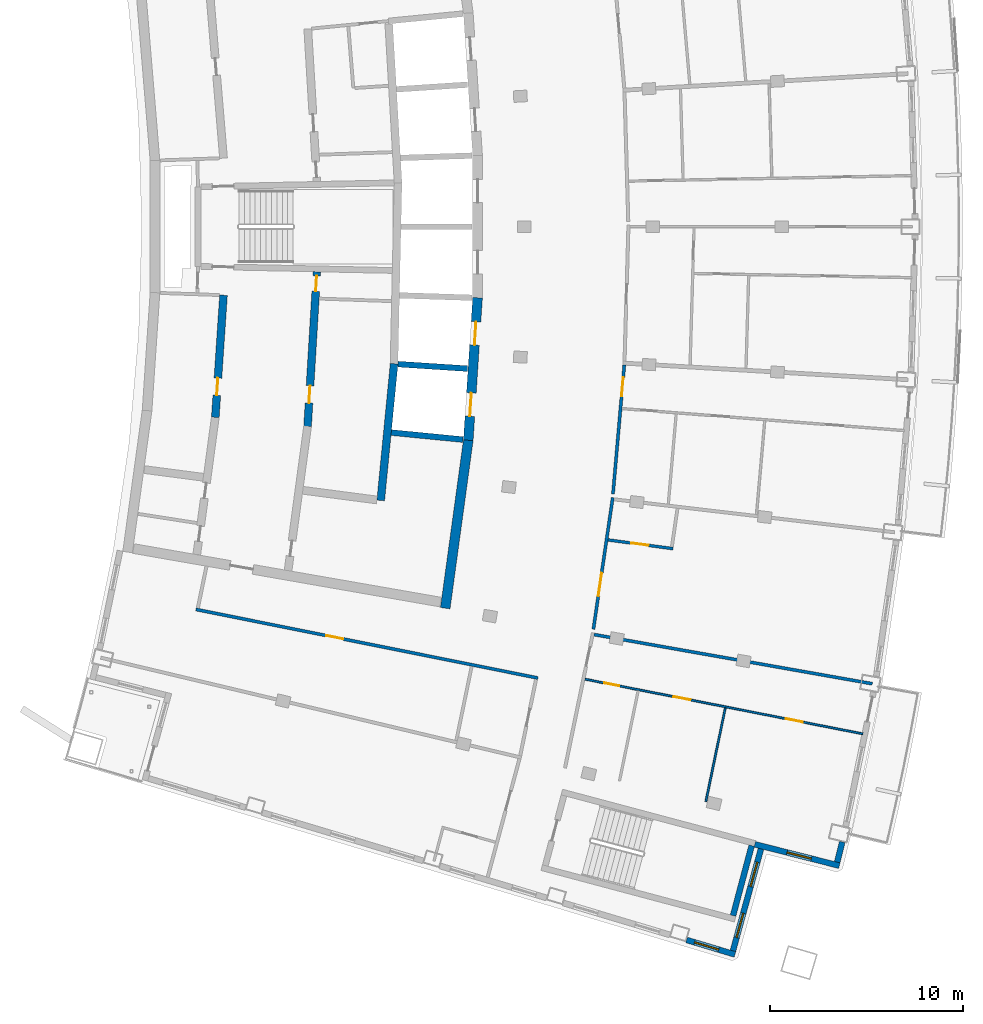
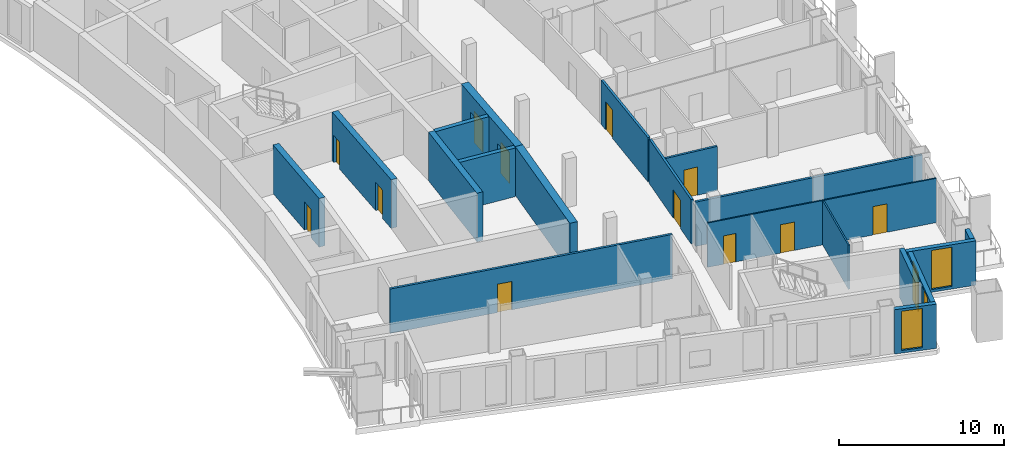
# One storey, part 8 of 16: 19 walls, 12 doors, 4 windows, 16 openings.
"""IFC4 building model written with IfcOpenShell, lengths in metres."""

from ifc_helpers import new_model, si_unit, direction, frame, frame_2d, origin, place, context, subcontext, project, spatial, rectangle, extrude, material, layer, layer_set, type_object, element, fill, save


model = new_model("IFC4")

# Units and contexts
model_context = context("Model", 3, precision=1e-05, world=origin(), true_north=direction((0.0, 1.0)))
body_context = subcontext(model_context, "Body", "Model", "MODEL_VIEW")
ifc_project = project(units=[si_unit("LENGTHUNIT", "METRE"), si_unit("AREAUNIT", "SQUARE_METRE"), si_unit("VOLUMEUNIT", "CUBIC_METRE"), si_unit("PLANEANGLEUNIT", "RADIAN"), si_unit("MASSUNIT", "GRAM", prefix="KILO")], contexts=[model_context])

# Site, building, storey
site_placement = place(None, origin())
site = spatial("IfcSite", under=ifc_project, at=site_placement, CompositionType="ELEMENT")
building_placement = place(site_placement, origin())
building = spatial("IfcBuilding", under=site, at=building_placement, Name="Alderwake Tower", CompositionType="ELEMENT")
storey_placement = place(building_placement, frame((0.0, 0.0, 281.60009765625)))
storey = spatial("IfcBuildingStorey", under=building, at=storey_placement, Name="L70", CompositionType="ELEMENT", Elevation=281.60009765625)

# Wall
ifc_material_1 = material(Name="Concrete C70/85", Category="concrete")
ifc_layer_1 = layer(ifc_material_1, 0.5)
ifc_layer_set_1 = layer_set([ifc_layer_1], Name="Core wall outer 500 C70-85")
wall_type_1 = type_object("IfcWallType", Name="Core wall outer 500 C70-85", PredefinedType="SHEAR", material=ifc_layer_set_1)
wall_1_placement = place(storey_placement, frame((31.71728515625, 41.247314453125, 0.0), z_axis=(0.0, 0.0, 1.0), x_axis=(0.1358539401, 0.990728876615, 0.0)))
element("IfcWall", 1, at=wall_1_placement, inside=storey, type_object=wall_type_1, Name="Core wall CW.022", PredefinedType="SHEAR", context=body_context, shape_type="SweptSolid", body=[
    extrude(rectangle(XDim=8.794921875, YDim=0.5, at=frame_2d((4.3974609375, 0.0))), origin(), (0.0, 0.0, 1.0), 3.599853515625),
])

# Wall, openings, doors
wall_2_placement = place(storey_placement, frame((32.91015625, 49.942138671875, 0.0), z_axis=(0.0, 0.0, 1.0), x_axis=(0.064980500916, 0.997886533881, 0.0)))
wall_2 = element("IfcWall", 2, at=wall_2_placement, inside=storey, type_object=wall_type_1, Name="Core wall CW.021", PredefinedType="SHEAR", context=body_context, shape_type="SweptSolid", body=[
    extrude(rectangle(XDim=7.39404296875, YDim=0.5, at=frame_2d((3.697021484375, 0.0))), origin(), (0.0, 0.0, 1.0), 3.599853515625),
])
opening_1_placement = place(wall_2_placement, frame((1.253173828125, 0.0, 0.0)))
opening_1 = element("IfcOpeningElement", 3, at=opening_1_placement, cuts=wall_2, Name="Opening LD-HP1", PredefinedType="OPENING", context=body_context, shape_type="SweptSolid", body=[
    extrude(rectangle(XDim=1.199951171875, YDim=2.300048828125, at=frame_2d((0.60009765625, 1.14990234375))), frame((0.0, 0.260009765625, 0.0), z_axis=(0.0, -1.0, 0.0), x_axis=(1.0, 0.0, 0.0)), (0.0, 0.0, 1.0), 0.52001953125),
])
opening_2_placement = place(wall_2_placement, frame((4.941650390625, 0.0, 0.0)))
opening_2 = element("IfcOpeningElement", 4, at=opening_2_placement, cuts=wall_2, Name="Opening LD-HP2", PredefinedType="OPENING", context=body_context, shape_type="SweptSolid", body=[
    extrude(rectangle(XDim=1.199951171875, YDim=2.300048828125, at=frame_2d((0.60009765625, 1.14990234375))), frame((0.0, 0.260009765625, 0.0), z_axis=(0.0, -1.0, 0.0), x_axis=(1.0, 0.0, 0.0)), (0.0, 0.0, 1.0), 0.52001953125),
])
ifc_material_2 = material(Name="Stainless steel sliding leaf", Category="steel")
door_type_1 = type_object("IfcDoorType", Name="Lift landing door 1200", OperationType="SLIDING_TO_LEFT", PredefinedType="DOOR", material=ifc_material_2)
door_1_placement = place(opening_1_placement, origin())
door_1 = element("IfcDoor", 5, at=door_1_placement, inside=storey, type_object=door_type_1, Name="Lift landing door HP1", OperationType="SLIDING_TO_LEFT", OverallHeight=2.300048828125, OverallWidth=1.199951171875, PredefinedType="DOOR", context=body_context, shape_type="SweptSolid", body=[
    extrude(rectangle(XDim=1.199951171875, YDim=2.300048828125, at=frame_2d((0.60009765625, 1.14990234375))), frame((0.0, 0.02490234375, 0.0), z_axis=(0.0, -1.0, 0.0), x_axis=(1.0, 0.0, 0.0)), (0.0, 0.0, 1.0), 0.050048828125),
])
fill(opening_1, door_1)
door_2_placement = place(opening_2_placement, origin())
door_2 = element("IfcDoor", 6, at=door_2_placement, inside=storey, type_object=door_type_1, Name="Lift landing door HP2", OperationType="SLIDING_TO_LEFT", OverallHeight=2.300048828125, OverallWidth=1.199951171875, PredefinedType="DOOR", context=body_context, shape_type="SweptSolid", body=[
    extrude(rectangle(XDim=1.199951171875, YDim=2.300048828125, at=frame_2d((0.60009765625, 1.14990234375))), frame((0.0, 0.02490234375, 0.0), z_axis=(0.0, -1.0, 0.0), x_axis=(1.0, 0.0, 0.0)), (0.0, 0.0, 1.0), 0.050048828125),
])
fill(opening_2, door_2)

# Walls
ifc_material_3 = material(Name="Concrete C70/85", Category="concrete")
ifc_layer_2 = layer(ifc_material_3, 0.300048828125)
ifc_layer_set_2 = layer_set([ifc_layer_2], Name="Core wall shaft 300 C70-85")
wall_type_2 = type_object("IfcWallType", Name="Core wall shaft 300 C70-85", PredefinedType="SHEAR", material=ifc_layer_set_2)
wall_3_placement = place(storey_placement, frame((28.922119140625, 50.341796875, 0.0), z_axis=(0.0, 0.0, 1.0), x_axis=(0.995245719762, -0.097395879255, 0.0)))
element("IfcWall", 7, at=wall_3_placement, inside=storey, type_object=wall_type_2, Name="Core wall CW.064", PredefinedType="SHEAR", context=body_context, shape_type="SweptSolid", body=[
    extrude(rectangle(XDim=3.7275390625, YDim=0.300048828125, at=frame_2d((1.86376953125, 0.0))), origin(), (0.0, 0.0, 1.0), 3.599853515625),
])
wall_4_placement = place(storey_placement, frame((29.268798828125, 53.884521484375, 0.0), z_axis=(0.0, 0.0, 1.0), x_axis=(0.997885735437, -0.064992761217, 0.0)))
element("IfcWall", 8, at=wall_4_placement, inside=storey, type_object=wall_type_2, Name="Core wall CW.078", PredefinedType="SHEAR", context=body_context, shape_type="SweptSolid", body=[
    extrude(rectangle(XDim=3.60986328125, YDim=0.300048828125, at=frame_2d((1.804931640625, 0.0))), origin(), (0.0, 0.0, 1.0), 3.599853515625),
])

# Wall, opening, door
ifc_material_4 = material(Name="Concrete C70/85", Category="concrete")
ifc_layer_3 = layer(ifc_material_4, 0.39990234375)
ifc_layer_set_3 = layer_set([ifc_layer_3], Name="Core wall spine 400 C70-85")
wall_type_3 = type_object("IfcWallType", Name="Core wall spine 400 C70-85", PredefinedType="SHEAR", material=ifc_layer_set_3)
wall_5_placement = place(storey_placement, frame((20.2373046875, 57.451904296875, 0.0), z_axis=(0.0, 0.0, 1.0), x_axis=(-0.066884681503, -0.997760712486, 0.0)))
wall_5 = element("IfcWall", 9, at=wall_5_placement, inside=storey, type_object=wall_type_3, Name="Core wall CW.032", PredefinedType="SHEAR", context=body_context, shape_type="SweptSolid", body=[
    extrude(rectangle(XDim=6.336669921875, YDim=0.39990234375, at=frame_2d((3.16845703125, 0.0))), origin(), (0.0, 0.0, 1.0), 3.599853515625),
])
opening_3_placement = place(wall_5_placement, frame((4.29736328125, 0.0, 0.0)))
opening_3 = element("IfcOpeningElement", 10, at=opening_3_placement, cuts=wall_5, Name="Opening C037", PredefinedType="OPENING", context=body_context, shape_type="SweptSolid", body=[
    extrude(rectangle(XDim=0.89990234375, YDim=2.10009765625, at=frame_2d((0.449951171875, 1.050048828125))), frame((0.0, 0.2099609375, 0.0), z_axis=(0.0, -1.0, 0.0), x_axis=(1.0, 0.0, 0.0)), (0.0, 0.0, 1.0), 0.419921875),
])
ifc_material_5 = material(Name="Painted steel leaf", Category="steel")
door_type_2 = type_object("IfcDoorType", Name="Core room door 900", OperationType="SINGLE_SWING_LEFT", PredefinedType="DOOR", material=ifc_material_5)
door_3_placement = place(opening_3_placement, origin())
door_3 = element("IfcDoor", 11, at=door_3_placement, inside=storey, type_object=door_type_2, Name="Room door", OperationType="SINGLE_SWING_RIGHT", OverallHeight=2.10009765625, OverallWidth=0.89990234375, PredefinedType="DOOR", context=body_context, shape_type="SweptSolid", body=[
    extrude(rectangle(XDim=0.89990234375, YDim=2.10009765625, at=frame_2d((0.449951171875, 1.050048828125))), frame((0.0, 0.02490234375, 0.0), z_axis=(0.0, -1.0, 0.0), x_axis=(1.0, 0.0, 0.0)), (0.0, 0.0, 1.0), 0.050048828125),
])
fill(opening_3, door_3)

# Wall, openings, doors
wall_6_placement = place(storey_placement, frame((24.590087890625, 50.65673828125, 0.0), z_axis=(0.0, 0.0, 1.0), x_axis=(0.060318641452, 0.998179173041, 0.0)))
wall_6 = element("IfcWall", 12, at=wall_6_placement, inside=storey, type_object=wall_type_3, Name="Core wall CW.046", PredefinedType="SHEAR", context=body_context, shape_type="SweptSolid", body=[
    extrude(rectangle(XDim=8.022216796875, YDim=0.39990234375, at=frame_2d((4.01123046875, 0.0))), origin(), (0.0, 0.0, 1.0), 3.599853515625),
])
opening_4_placement = place(wall_6_placement, frame((7.006103515625, 0.0, 0.0)))
opening_4 = element("IfcOpeningElement", 13, at=opening_4_placement, cuts=wall_6, Name="Opening C006", PredefinedType="OPENING", context=body_context, shape_type="SweptSolid", body=[
    extrude(rectangle(XDim=0.800048828125, YDim=2.0, at=frame_2d((0.39990234375, 1.0))), frame((0.0, 0.2099609375, 0.0), z_axis=(0.0, -1.0, 0.0), x_axis=(1.0, 0.0, 0.0)), (0.0, 0.0, 1.0), 0.419921875),
])
opening_5_placement = place(wall_6_placement, frame((1.21533203125, 0.0, 0.0)))
opening_5 = element("IfcOpeningElement", 14, at=opening_5_placement, cuts=wall_6, Name="Opening C043", PredefinedType="OPENING", context=body_context, shape_type="SweptSolid", body=[
    extrude(rectangle(XDim=0.89990234375, YDim=2.10009765625, at=frame_2d((0.449951171875, 1.050048828125))), frame((0.0, 0.2099609375, 0.0), z_axis=(0.0, -1.0, 0.0), x_axis=(1.0, 0.0, 0.0)), (0.0, 0.0, 1.0), 0.419921875),
])
door_4_placement = place(opening_5_placement, origin())
door_4 = element("IfcDoor", 15, at=door_4_placement, inside=storey, type_object=door_type_2, Name="Room door", OperationType="SINGLE_SWING_LEFT", OverallHeight=2.10009765625, OverallWidth=0.89990234375, PredefinedType="DOOR", context=body_context, shape_type="SweptSolid", body=[
    extrude(rectangle(XDim=0.89990234375, YDim=2.10009765625, at=frame_2d((0.449951171875, 1.050048828125))), frame((0.0, 0.02490234375, 0.0), z_axis=(0.0, -1.0, 0.0), x_axis=(1.0, 0.0, 0.0)), (0.0, 0.0, 1.0), 0.050048828125),
])
fill(opening_5, door_4)
ifc_material_6 = material(Name="Painted steel leaf, rated", Category="steel")
door_type_3 = type_object("IfcDoorType", Name="Riser access door 800", OperationType="SINGLE_SWING_LEFT", PredefinedType="DOOR", material=ifc_material_6)
door_5_placement = place(opening_4_placement, origin())
door_5 = element("IfcDoor", 16, at=door_5_placement, inside=storey, type_object=door_type_3, Name="Riser access door", OperationType="SINGLE_SWING_RIGHT", OverallHeight=2.0, OverallWidth=0.800048828125, PredefinedType="DOOR", context=body_context, shape_type="SweptSolid", body=[
    extrude(rectangle(XDim=0.800048828125, YDim=2.0, at=frame_2d((0.39990234375, 1.0))), frame((0.0, 0.02490234375, 0.0), z_axis=(0.0, -1.0, 0.0), x_axis=(1.0, 0.0, 0.0)), (0.0, 0.0, 1.0), 0.050048828125),
])
fill(opening_4, door_5)

# Walls
wall_7_placement = place(storey_placement, frame((28.376953125, 46.8251953125, 0.0), z_axis=(0.0, 0.0, 1.0), x_axis=(0.097393469943, 0.995245955537, 0.0)))
element("IfcWall", 17, at=wall_7_placement, inside=storey, type_object=wall_type_3, Name="Core wall CW.005", PredefinedType="SHEAR", context=body_context, shape_type="SweptSolid", body=[
    extrude(rectangle(XDim=7.1142578125, YDim=0.39990234375, at=frame_2d((3.55712890625, 0.0))), origin(), (0.0, 0.0, 1.0), 3.599853515625),
])
ifc_material_7 = material(Name="Concrete C70/85", Category="concrete")
ifc_layer_4 = layer(ifc_material_7, 0.300048828125)
ifc_layer_set_4 = layer_set([ifc_layer_4], Name="Core wall stair enclosure 300 C70-85")
wall_type_4 = type_object("IfcWallType", Name="Core wall stair enclosure 300 C70-85", PredefinedType="SHEAR", material=ifc_layer_set_4)
wall_8_placement = place(storey_placement, frame((46.6162109375, 25.334716796875, 0.0), z_axis=(0.0, 0.0, 1.0), x_axis=(0.257366821694, 0.966313778796, 0.0)))
element("IfcWall", 18, at=wall_8_placement, inside=storey, type_object=wall_type_4, Name="Core wall CW.085", PredefinedType="SHEAR", context=body_context, shape_type="SweptSolid", body=[
    extrude(rectangle(XDim=3.749755859375, YDim=0.300048828125, at=frame_2d((1.875, 0.0))), origin(), (0.0, 0.0, 1.0), 3.599853515625),
])

# Wall, opening, door
ifc_material_8 = material(Name="Gypsum board on metal studs, rated")
ifc_layer_5 = layer(ifc_material_8, 0.159912109375)
ifc_layer_set_5 = layer_set([ifc_layer_5], Name="Corridor wall 160")
wall_type_5 = type_object("IfcWallType", Name="Corridor wall 160", PredefinedType="PARTITIONING", material=ifc_layer_set_5)
wall_9_placement = place(storey_placement, frame((36.513427734375, 37.63427734375, 0.0), z_axis=(0.0, 0.0, 1.0), x_axis=(-0.980470254867, 0.1966674333, 0.0)))
wall_9 = element("IfcWall", 19, at=wall_9_placement, inside=storey, type_object=wall_type_5, Name="WL/L70/W10", PredefinedType="PARTITIONING", context=body_context, shape_type="SweptSolid", body=[
    extrude(rectangle(XDim=18.053466796875, YDim=0.159912109375, at=frame_2d((9.02685546875, 0.0))), origin(), (0.0, 0.0, 1.0), 3.27978515625),
])
opening_6_placement = place(wall_9_placement, frame((10.277099609375, 0.0, 0.0)))
opening_6 = element("IfcOpeningElement", 20, at=opening_6_placement, cuts=wall_9, Name="Opening R20-SBS1", PredefinedType="OPENING", context=body_context, shape_type="SweptSolid", body=[
    extrude(rectangle(XDim=0.89990234375, YDim=2.10009765625, at=frame_2d((0.449951171875, 1.050048828125))), frame((0.0, 0.08984375, 0.0), z_axis=(0.0, -1.0, 0.0), x_axis=(1.0, 0.0, 0.0)), (0.0, 0.0, 1.0), 0.179931640625),
])
ifc_material_9 = material(Name="Painted timber leaf", Category="wood")
door_type_4 = type_object("IfcDoorType", Name="Room door 900", OperationType="SINGLE_SWING_LEFT", PredefinedType="DOOR", material=ifc_material_9)
door_6_placement = place(opening_6_placement, origin())
door_6 = element("IfcDoor", 21, at=door_6_placement, inside=storey, type_object=door_type_4, Name="DR/L70/SBS1", OperationType="SINGLE_SWING_LEFT", OverallHeight=2.10009765625, OverallWidth=0.89990234375, PredefinedType="DOOR", context=body_context, shape_type="SweptSolid", body=[
    extrude(rectangle(XDim=0.89990234375, YDim=2.10009765625, at=frame_2d((0.449951171875, 1.050048828125))), frame((0.0, 0.02490234375, 0.0), z_axis=(0.0, -1.0, 0.0), x_axis=(1.0, 0.0, 0.0)), (0.0, 0.0, 1.0), 0.050048828125),
])
fill(opening_6, door_6)

wall_10_placement = place(storey_placement, frame((40.388671875, 46.97216796875, 0.0), z_axis=(0.0, 0.0, 1.0), x_axis=(-0.145535848078, -0.989352978933, 0.0)))
wall_10 = element("IfcWall", 22, at=wall_10_placement, inside=storey, type_object=wall_type_5, Name="WL/L70/W19", PredefinedType="PARTITIONING", context=body_context, shape_type="SweptSolid", body=[
    extrude(rectangle(XDim=6.884521484375, YDim=0.159912109375, at=frame_2d((3.4423828125, 0.0))), origin(), (0.0, 0.0, 1.0), 3.27978515625),
])
opening_7_placement = place(wall_10_placement, frame((3.943115234375, 0.0, 0.0)))
opening_7 = element("IfcOpeningElement", 23, at=opening_7_placement, cuts=wall_10, Name="Opening R20-AM1.1", PredefinedType="OPENING", context=body_context, shape_type="SweptSolid", body=[
    extrude(rectangle(XDim=1.199951171875, YDim=2.10009765625, at=frame_2d((0.60009765625, 1.050048828125))), frame((0.0, 0.08984375, 0.0), z_axis=(0.0, -1.0, 0.0), x_axis=(1.0, 0.0, 0.0)), (0.0, 0.0, 1.0), 0.179931640625),
])
ifc_material_10 = material(Name="Steel-framed fire door leaf", Category="steel")
door_type_5 = type_object("IfcDoorType", Name="Lobby door 1200 fire-rated", OperationType="SINGLE_SWING_LEFT", PredefinedType="DOOR", material=ifc_material_10)
door_7_placement = place(opening_7_placement, origin())
door_7 = element("IfcDoor", 24, at=door_7_placement, inside=storey, type_object=door_type_5, Name="DR/L70/AM1.1", OperationType="SINGLE_SWING_LEFT", OverallHeight=2.10009765625, OverallWidth=1.199951171875, PredefinedType="DOOR", context=body_context, shape_type="SweptSolid", body=[
    extrude(rectangle(XDim=1.199951171875, YDim=2.10009765625, at=frame_2d((0.60009765625, 1.050048828125))), frame((0.0, 0.02490234375, 0.0), z_axis=(0.0, -1.0, 0.0), x_axis=(1.0, 0.0, 0.0)), (0.0, 0.0, 1.0), 0.050048828125),
])
fill(opening_7, door_7)

wall_11_placement = place(storey_placement, frame((40.986328125, 53.834228515625, 0.0), z_axis=(0.0, 0.0, 1.0), x_axis=(-0.087437661692, -0.996169993183, 0.0)))
wall_11 = element("IfcWall", 25, at=wall_11_placement, inside=storey, type_object=wall_type_5, Name="WL/L70/W21", PredefinedType="PARTITIONING", context=body_context, shape_type="SweptSolid", body=[
    extrude(rectangle(XDim=6.701171875, YDim=0.159912109375, at=frame_2d((3.3505859375, 0.0))), origin(), (0.0, 0.0, 1.0), 3.27978515625),
])
opening_8_placement = place(wall_11_placement, frame((0.628173828125, 0.0, 0.0)))
opening_8 = element("IfcOpeningElement", 26, at=opening_8_placement, cuts=wall_11, Name="Opening R20-U04.2", PredefinedType="OPENING", context=body_context, shape_type="SweptSolid", body=[
    extrude(rectangle(XDim=1.0, YDim=2.10009765625, at=frame_2d((0.5, 1.050048828125))), frame((0.0, 0.08984375, 0.0), z_axis=(0.0, -1.0, 0.0), x_axis=(1.0, 0.0, 0.0)), (0.0, 0.0, 1.0), 0.179931640625),
])
ifc_material_11 = material(Name="Solid timber leaf in steel frame", Category="steel")
door_type_6 = type_object("IfcDoorType", Name="Flat entrance door 1000 fire-rated", OperationType="SINGLE_SWING_LEFT", PredefinedType="DOOR", material=ifc_material_11)
door_8_placement = place(opening_8_placement, origin())
door_8 = element("IfcDoor", 27, at=door_8_placement, inside=storey, type_object=door_type_6, Name="DR/L70/U04.2", OperationType="SINGLE_SWING_LEFT", OverallHeight=2.10009765625, OverallWidth=1.0, PredefinedType="DOOR", context=body_context, shape_type="SweptSolid", body=[
    extrude(rectangle(XDim=1.0, YDim=2.10009765625, at=frame_2d((0.5, 1.050048828125))), frame((0.0, 0.02490234375, 0.0), z_axis=(0.0, -1.0, 0.0), x_axis=(1.0, 0.0, 0.0)), (0.0, 0.0, 1.0), 0.050048828125),
])
fill(opening_8, door_8)

# Walls
wall_12_placement = place(storey_placement, frame((53.822998046875, 37.337890625, 0.0), z_axis=(0.0, 0.0, 1.0), x_axis=(-0.984729040403, 0.174093988946, 0.0)))
element("IfcWall", 28, at=wall_12_placement, inside=storey, type_object=wall_type_5, Name="WL/L70/W26", PredefinedType="PARTITIONING", context=body_context, shape_type="SweptSolid", body=[
    extrude(rectangle(XDim=14.619384765625, YDim=0.159912109375, at=frame_2d((7.3095703125, 0.0))), origin(), (0.0, 0.0, 1.0), 3.27978515625),
])
ifc_material_12 = material(Name="Precast concrete C50/60 spandrel panel", Category="concrete")
ifc_layer_6 = layer(ifc_material_12, 0.300048828125)
ifc_layer_set_6 = layer_set([ifc_layer_6], Name="External wall EW1 Precast concrete C50/60 spandrel")
wall_type_6 = type_object("IfcWallType", Name="External wall EW1 Precast concrete C50/60 spandrel", PredefinedType="SOLIDWALL", material=ifc_layer_set_6)
wall_13_placement = place(storey_placement, frame((52.009521484375, 28.10107421875, 0.0), z_axis=(0.0, 0.0, 1.0), x_axis=(0.238378653111, 0.971172290452, 0.0)))
element("IfcWall", 29, at=wall_13_placement, inside=storey, type_object=wall_type_6, Name="External wall 11", PredefinedType="SOLIDWALL", context=body_context, shape_type="SweptSolid", body=[
    extrude(rectangle(XDim=1.078369140625, YDim=0.300048828125, at=frame_2d((0.5390625, 0.0))), origin(), (0.0, 0.0, 1.0), 3.27978515625),
])

# Wall, opening, window
ifc_material_13 = material(Name="Bronze metal cladding on lightweight framing")
ifc_layer_7 = layer(ifc_material_13, 0.300048828125)
ifc_layer_set_7 = layer_set([ifc_layer_7], Name="External wall EW2 bronze metal cladding")
wall_type_7 = type_object("IfcWallType", Name="External wall EW2 bronze metal cladding", PredefinedType="SOLIDWALL", material=ifc_layer_set_7)
wall_14_placement = place(storey_placement, frame((44.21142578125, 24.073486328125, 0.0), z_axis=(0.0, 0.0, 1.0), x_axis=(0.957782557739, -0.287493603567, 0.0)))
wall_14 = element("IfcWall", 30, at=wall_14_placement, inside=storey, type_object=wall_type_7, Name="External wall 8", PredefinedType="SOLIDWALL", context=body_context, shape_type="SweptSolid", body=[
    extrude(rectangle(XDim=2.613037109375, YDim=0.300048828125, at=frame_2d((1.306640625, 0.0))), origin(), (0.0, 0.0, 1.0), 3.27978515625),
])
opening_9_placement = place(wall_14_placement, frame((0.4306640625, 0.0, 0.199951171875)))
opening_9 = element("IfcOpeningElement", 31, at=opening_9_placement, cuts=wall_14, Name="Opening W1", PredefinedType="OPENING", context=body_context, shape_type="SweptSolid", body=[
    extrude(rectangle(XDim=1.300048828125, YDim=2.89990234375, at=frame_2d((0.64990234375, 1.449951171875))), frame((0.0, 0.159912109375, 0.0), z_axis=(0.0, -1.0, 0.0), x_axis=(1.0, 0.0, 0.0)), (0.0, 0.0, 1.0), 0.320068359375),
])
ifc_material_14 = material(Name="Bronze tinted glass in aluminium frame", Category="aluminium")
window_type = type_object("IfcWindowType", Name="Window W1 tall fixed and vent", PartitioningType="DOUBLE_PANEL_VERTICAL", PredefinedType="WINDOW", material=ifc_material_14)
window_1_placement = place(opening_9_placement, origin())
window_1 = element("IfcWindow", 32, at=window_1_placement, inside=storey, type_object=window_type, Name="Window W1 tall fixed and vent", OverallHeight=2.89990234375, OverallWidth=1.300048828125, PartitioningType="DOUBLE_PANEL_VERTICAL", PredefinedType="WINDOW", context=body_context, shape_type="SweptSolid", body=[
    extrude(rectangle(XDim=1.300048828125, YDim=2.89990234375, at=frame_2d((0.64990234375, 1.449951171875))), frame((0.0, 0.030029296875, 0.0), z_axis=(0.0, -1.0, 0.0), x_axis=(1.0, 0.0, 0.0)), (0.0, 0.0, 1.0), 0.06005859375),
])
fill(opening_9, window_1)

# Wall, openings, windows
wall_15_placement = place(storey_placement, frame((46.610107421875, 23.510009765625, 0.0), z_axis=(0.0, 0.0, 1.0), x_axis=(0.265093283519, 0.964222770439, 0.0)))
wall_15 = element("IfcWall", 33, at=wall_15_placement, inside=storey, type_object=wall_type_7, Name="External wall 9", PredefinedType="SOLIDWALL", context=body_context, shape_type="SweptSolid", body=[
    extrude(rectangle(XDim=5.47705078125, YDim=0.300048828125, at=frame_2d((2.738525390625, 0.0))), origin(), (0.0, 0.0, 1.0), 3.27978515625),
])
opening_10_placement = place(wall_15_placement, frame((0.71923828125, 0.0, 0.199951171875)))
opening_10 = element("IfcOpeningElement", 34, at=opening_10_placement, cuts=wall_15, Name="Opening W1", PredefinedType="OPENING", context=body_context, shape_type="SweptSolid", body=[
    extrude(rectangle(XDim=1.300048828125, YDim=2.89990234375, at=frame_2d((0.64990234375, 1.449951171875))), frame((0.0, 0.159912109375, 0.0), z_axis=(0.0, -1.0, 0.0), x_axis=(1.0, 0.0, 0.0)), (0.0, 0.0, 1.0), 0.320068359375),
])
opening_11_placement = place(wall_15_placement, frame((3.45751953125, 0.0, 0.199951171875)))
opening_11 = element("IfcOpeningElement", 35, at=opening_11_placement, cuts=wall_15, Name="Opening W1", PredefinedType="OPENING", context=body_context, shape_type="SweptSolid", body=[
    extrude(rectangle(XDim=1.300048828125, YDim=2.89990234375, at=frame_2d((0.64990234375, 1.449951171875))), frame((0.0, 0.159912109375, 0.0), z_axis=(0.0, -1.0, 0.0), x_axis=(1.0, 0.0, 0.0)), (0.0, 0.0, 1.0), 0.320068359375),
])
window_2_placement = place(opening_10_placement, origin())
window_2 = element("IfcWindow", 36, at=window_2_placement, inside=storey, type_object=window_type, Name="Window W1 tall fixed and vent", OverallHeight=2.89990234375, OverallWidth=1.300048828125, PartitioningType="DOUBLE_PANEL_VERTICAL", PredefinedType="WINDOW", context=body_context, shape_type="SweptSolid", body=[
    extrude(rectangle(XDim=1.300048828125, YDim=2.89990234375, at=frame_2d((0.64990234375, 1.449951171875))), frame((0.0, 0.030029296875, 0.0), z_axis=(0.0, -1.0, 0.0), x_axis=(1.0, 0.0, 0.0)), (0.0, 0.0, 1.0), 0.06005859375),
])
fill(opening_10, window_2)
window_3_placement = place(opening_11_placement, origin())
window_3 = element("IfcWindow", 37, at=window_3_placement, inside=storey, type_object=window_type, Name="Window W1 tall fixed and vent", OverallHeight=2.89990234375, OverallWidth=1.300048828125, PartitioningType="DOUBLE_PANEL_VERTICAL", PredefinedType="WINDOW", context=body_context, shape_type="SweptSolid", body=[
    extrude(rectangle(XDim=1.300048828125, YDim=2.89990234375, at=frame_2d((0.64990234375, 1.449951171875))), frame((0.0, 0.030029296875, 0.0), z_axis=(0.0, -1.0, 0.0), x_axis=(1.0, 0.0, 0.0)), (0.0, 0.0, 1.0), 0.06005859375),
])
fill(opening_11, window_3)

# Wall, opening, window
wall_16_placement = place(storey_placement, frame((47.7412109375, 29.026611328125, 0.0), z_axis=(0.0, 0.0, 1.0), x_axis=(0.969425979611, -0.245383923793, 0.0)))
wall_16 = element("IfcWall", 38, at=wall_16_placement, inside=storey, type_object=wall_type_7, Name="External wall 10", PredefinedType="SOLIDWALL", context=body_context, shape_type="SweptSolid", body=[
    extrude(rectangle(XDim=4.51611328125, YDim=0.300048828125, at=frame_2d((2.258056640625, 0.0))), origin(), (0.0, 0.0, 1.0), 3.27978515625),
])
opening_12_placement = place(wall_16_placement, frame((1.718994140625, 0.0, 0.199951171875)))
opening_12 = element("IfcOpeningElement", 39, at=opening_12_placement, cuts=wall_16, Name="Opening W1", PredefinedType="OPENING", context=body_context, shape_type="SweptSolid", body=[
    extrude(rectangle(XDim=1.300048828125, YDim=2.89990234375, at=frame_2d((0.64990234375, 1.449951171875))), frame((0.0, 0.159912109375, 0.0), z_axis=(0.0, -1.0, 0.0), x_axis=(1.0, 0.0, 0.0)), (0.0, 0.0, 1.0), 0.320068359375),
])
window_4_placement = place(opening_12_placement, origin())
window_4 = element("IfcWindow", 40, at=window_4_placement, inside=storey, type_object=window_type, Name="Window W1 tall fixed and vent", OverallHeight=2.89990234375, OverallWidth=1.300048828125, PartitioningType="DOUBLE_PANEL_VERTICAL", PredefinedType="WINDOW", context=body_context, shape_type="SweptSolid", body=[
    extrude(rectangle(XDim=1.300048828125, YDim=2.89990234375, at=frame_2d((0.64990234375, 1.449951171875))), frame((0.0, 0.030029296875, 0.0), z_axis=(0.0, -1.0, 0.0), x_axis=(1.0, 0.0, 0.0)), (0.0, 0.0, 1.0), 0.06005859375),
])
fill(opening_12, window_4)

# Wall, opening, door
ifc_material_15 = material(Name="Gypsum shaft wall system, rated")
ifc_layer_8 = layer(ifc_material_15, 0.14990234375)
ifc_layer_set_8 = layer_set([ifc_layer_8], Name="Riser and shaft wall 150")
wall_type_8 = type_object("IfcWallType", Name="Riser and shaft wall 150", PredefinedType="PARTITIONING", material=ifc_layer_set_8)
wall_17_placement = place(storey_placement, frame((40.147216796875, 44.7822265625, 0.0), z_axis=(0.0, 0.0, 1.0), x_axis=(0.991087891329, -0.133209577962, 0.0)))
wall_17 = element("IfcWall", 41, at=wall_17_placement, inside=storey, type_object=wall_type_8, Name="WL/L70/W06", PredefinedType="PARTITIONING", context=body_context, shape_type="SweptSolid", body=[
    extrude(rectangle(XDim=3.394287109375, YDim=0.14990234375, at=frame_2d((1.697265625, 0.0))), origin(), (0.0, 0.0, 1.0), 3.27978515625),
])
opening_13_placement = place(wall_17_placement, frame((1.209228515625, 0.0, 0.0)))
opening_13 = element("IfcOpeningElement", 42, at=opening_13_placement, cuts=wall_17, Name="Opening R20-AM1.2", PredefinedType="OPENING", context=body_context, shape_type="SweptSolid", body=[
    extrude(rectangle(XDim=0.89990234375, YDim=2.10009765625, at=frame_2d((0.449951171875, 1.050048828125))), frame((0.0, 0.0849609375, 0.0), z_axis=(0.0, -1.0, 0.0), x_axis=(1.0, 0.0, 0.0)), (0.0, 0.0, 1.0), 0.169921875),
])
door_9_placement = place(opening_13_placement, origin())
door_9 = element("IfcDoor", 43, at=door_9_placement, inside=storey, type_object=door_type_4, Name="DR/L70/AM1.2", OperationType="SINGLE_SWING_LEFT", OverallHeight=2.10009765625, OverallWidth=0.89990234375, PredefinedType="DOOR", context=body_context, shape_type="SweptSolid", body=[
    extrude(rectangle(XDim=0.89990234375, YDim=2.10009765625, at=frame_2d((0.449951171875, 1.050048828125))), frame((0.0, 0.02490234375, 0.0), z_axis=(0.0, -1.0, 0.0), x_axis=(1.0, 0.0, 0.0)), (0.0, 0.0, 1.0), 0.050048828125),
])
fill(opening_13, door_9)

# Wall, openings, doors
ifc_material_16 = material(Name="Gypsum board on metal studs")
ifc_layer_9 = layer(ifc_material_16, 0.10009765625)
ifc_layer_set_9 = layer_set([ifc_layer_9], Name="Unit partition 100")
wall_type_9 = type_object("IfcWallType", Name="Unit partition 100", PredefinedType="PARTITIONING", material=ifc_layer_set_9)
wall_18_placement = place(storey_placement, frame((53.3369140625, 34.742919921875, 0.0), z_axis=(0.0, 0.0, 1.0), x_axis=(-0.981175480295, 0.193118297601, 0.0)))
wall_18 = element("IfcWall", 44, at=wall_18_placement, inside=storey, type_object=wall_type_9, Name="WL/L70/W42", PredefinedType="PARTITIONING", context=body_context, shape_type="SweptSolid", body=[
    extrude(rectangle(XDim=14.66357421875, YDim=0.10009765625, at=frame_2d((7.331787109375, 0.0))), origin(), (0.0, 0.0, 1.0), 3.27978515625),
])
opening_14_placement = place(wall_18_placement, frame((9.09619140625, 0.0, 0.0)))
opening_14 = element("IfcOpeningElement", 45, at=opening_14_placement, cuts=wall_18, Name="Opening R20-U03.1", PredefinedType="OPENING", context=body_context, shape_type="SweptSolid", body=[
    extrude(rectangle(XDim=0.89990234375, YDim=2.10009765625, at=frame_2d((0.449951171875, 1.050048828125))), frame((0.0, 0.06005859375, 0.0), z_axis=(0.0, -1.0, 0.0), x_axis=(1.0, 0.0, 0.0)), (0.0, 0.0, 1.0), 0.1201171875),
])
opening_15_placement = place(wall_18_placement, frame((12.85400390625, 0.0, 0.0)))
opening_15 = element("IfcOpeningElement", 46, at=opening_15_placement, cuts=wall_18, Name="Opening R20-U03.3", PredefinedType="OPENING", context=body_context, shape_type="SweptSolid", body=[
    extrude(rectangle(XDim=0.800048828125, YDim=2.10009765625, at=frame_2d((0.39990234375, 1.050048828125))), frame((0.0, 0.06005859375, 0.0), z_axis=(0.0, -1.0, 0.0), x_axis=(1.0, 0.0, 0.0)), (0.0, 0.0, 1.0), 0.1201171875),
])
opening_16_placement = place(wall_18_placement, frame((3.17431640625, 0.0, 0.0)))
opening_16 = element("IfcOpeningElement", 47, at=opening_16_placement, cuts=wall_18, Name="Opening R20-U03.4", PredefinedType="OPENING", context=body_context, shape_type="SweptSolid", body=[
    extrude(rectangle(XDim=0.89990234375, YDim=2.10009765625, at=frame_2d((0.449951171875, 1.050048828125))), frame((0.0, 0.06005859375, 0.0), z_axis=(0.0, -1.0, 0.0), x_axis=(1.0, 0.0, 0.0)), (0.0, 0.0, 1.0), 0.1201171875),
])
ifc_material_17 = material(Name="Painted timber leaf", Category="wood")
door_type_7 = type_object("IfcDoorType", Name="Bathroom door 800", OperationType="SINGLE_SWING_LEFT", PredefinedType="DOOR", material=ifc_material_17)
door_10_placement = place(opening_15_placement, origin())
door_10 = element("IfcDoor", 48, at=door_10_placement, inside=storey, type_object=door_type_7, Name="DR/L70/U03.3", OperationType="SINGLE_SWING_LEFT", OverallHeight=2.10009765625, OverallWidth=0.800048828125, PredefinedType="DOOR", context=body_context, shape_type="SweptSolid", body=[
    extrude(rectangle(XDim=0.800048828125, YDim=2.10009765625, at=frame_2d((0.39990234375, 1.050048828125))), frame((0.0, 0.02490234375, 0.0), z_axis=(0.0, -1.0, 0.0), x_axis=(1.0, 0.0, 0.0)), (0.0, 0.0, 1.0), 0.050048828125),
])
fill(opening_15, door_10)
door_11_placement = place(opening_14_placement, origin())
door_11 = element("IfcDoor", 49, at=door_11_placement, inside=storey, type_object=door_type_4, Name="DR/L70/U03.1", OperationType="SINGLE_SWING_LEFT", OverallHeight=2.10009765625, OverallWidth=0.89990234375, PredefinedType="DOOR", context=body_context, shape_type="SweptSolid", body=[
    extrude(rectangle(XDim=0.89990234375, YDim=2.10009765625, at=frame_2d((0.449951171875, 1.050048828125))), frame((0.0, 0.02490234375, 0.0), z_axis=(0.0, -1.0, 0.0), x_axis=(1.0, 0.0, 0.0)), (0.0, 0.0, 1.0), 0.050048828125),
])
fill(opening_14, door_11)
door_12_placement = place(opening_16_placement, origin())
door_12 = element("IfcDoor", 50, at=door_12_placement, inside=storey, type_object=door_type_4, Name="DR/L70/U03.4", OperationType="SINGLE_SWING_LEFT", OverallHeight=2.10009765625, OverallWidth=0.89990234375, PredefinedType="DOOR", context=body_context, shape_type="SweptSolid", body=[
    extrude(rectangle(XDim=0.89990234375, YDim=2.10009765625, at=frame_2d((0.449951171875, 1.050048828125))), frame((0.0, 0.02490234375, 0.0), z_axis=(0.0, -1.0, 0.0), x_axis=(1.0, 0.0, 0.0)), (0.0, 0.0, 1.0), 0.050048828125),
])
fill(opening_16, door_12)

# Wall
wall_19_placement = place(storey_placement, frame((45.2099609375, 31.241943359375, 0.0), z_axis=(0.0, 0.0, 1.0), x_axis=(0.203257467048, 0.979125325017, 0.0)))
element("IfcWall", 51, at=wall_19_placement, inside=storey, type_object=wall_type_9, Name="WL/L70/W50", PredefinedType="PARTITIONING", context=body_context, shape_type="SweptSolid", body=[
    extrude(rectangle(XDim=4.95361328125, YDim=0.10009765625, at=frame_2d((2.476806640625, 0.0))), origin(), (0.0, 0.0, 1.0), 3.27978515625),
])

save(model, "model.ifc")
